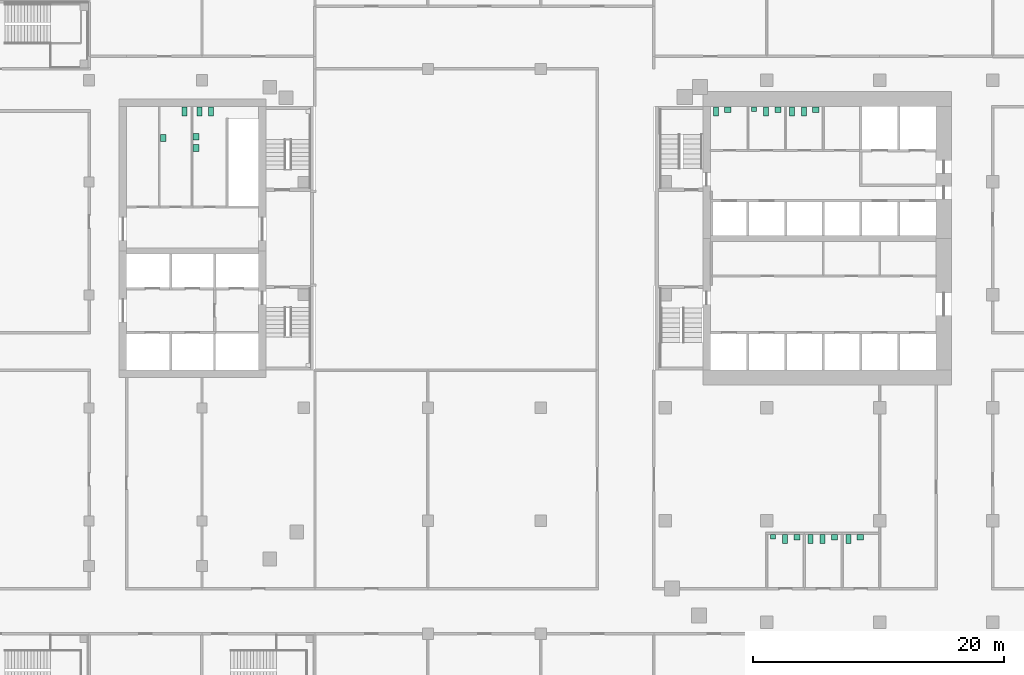
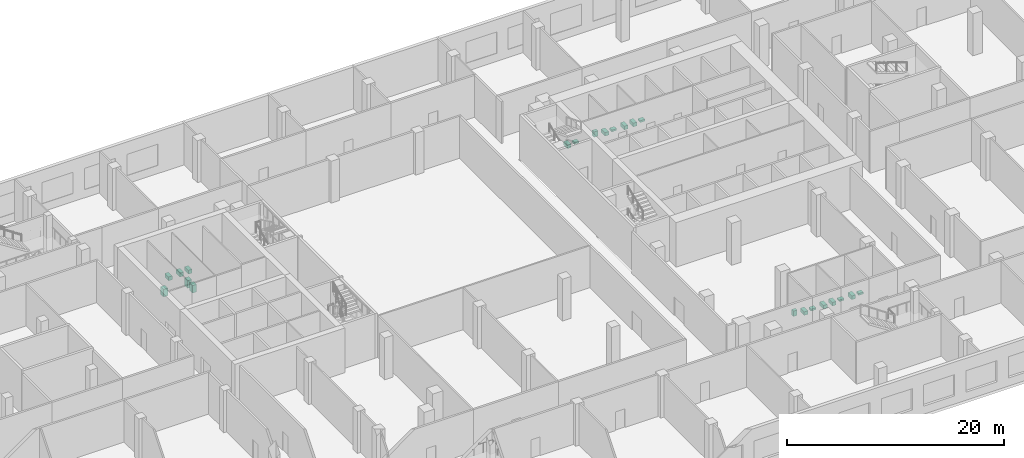
# One storey, part 21 of 21: 22 sanitary terminals.
"""IFC4 building model written with IfcOpenShell, lengths in metres."""

from ifc_helpers import new_model, si_unit, direction, frame, origin, origin_2d, place, context, subcontext, project, spatial, rectangle, extrude, material, type_object, element, save


model = new_model("IFC4")

# Units and contexts
model_context = context("Model", 3, precision=1e-05, world=origin(), true_north=direction((0.0, 1.0)))
body_context = subcontext(model_context, "Body", "Model", "MODEL_VIEW")
ifc_project = project(units=[si_unit("LENGTHUNIT", "METRE"), si_unit("AREAUNIT", "SQUARE_METRE"), si_unit("VOLUMEUNIT", "CUBIC_METRE"), si_unit("PLANEANGLEUNIT", "RADIAN"), si_unit("MASSUNIT", "GRAM", prefix="KILO")], contexts=[model_context])

# Site, building, storey
site_placement = place(None, origin())
site = spatial("IfcSite", under=ifc_project, at=site_placement, CompositionType="ELEMENT")
building_placement = place(site_placement, origin())
building = spatial("IfcBuilding", under=site, at=building_placement, Name="Cinnabar Reach Civic Tower", CompositionType="ELEMENT")
storey_placement = place(building_placement, frame((0.0, 0.0, 11.0)))
storey = spatial("IfcBuildingStorey", under=building, at=storey_placement, Name="L02", CompositionType="ELEMENT", Elevation=11.0)

# Sanitary terminals
ifc_material = material(Name="Vitreous china")
sanitary_terminal_type_1 = type_object("IfcSanitaryTerminalType", Name="T1 WC pan", PredefinedType="TOILETPAN", material=ifc_material)
for number, where, z_axis, x_axis, name in (
    (1, (10.45, 7.55, 0.0), (0.0, 0.0, 1.0), (1.0, 0.0, 0.0), "T1 WC pan 0247-2"),
    (2, (12.5, 7.55, 0.0), (0.0, 0.0, 1.0), (1.0, 0.0, 0.0), "T1 WC pan 0248-1"),
    (3, (13.45, 7.55, 0.0), (0.0, 0.0, 1.0), (1.0, 0.0, 0.0), "T1 WC pan 0248-2"),
    (4, (15.5, 7.55, 0.0), (0.0, 0.0, 1.0), (1.0, 0.0, 0.0), "T1 WC pan 0249-1"),
    (5, (4.95, 41.6, 0.0), (0.0, 0.0, 1.0), (1.0, 0.0, 0.0), "T1 WC pan 0207-1"),
    (6, (8.95, 41.6, 0.0), (0.0, 0.0, 1.0), (1.0, 0.0, 0.0), "T1 WC pan 0208-2"),
    (7, (11.0, 41.6, 0.0), (0.0, 0.0, 1.0), (1.0, 0.0, 0.0), "T1 WC pan 0209-1"),
    (8, (11.95, 41.6, 0.0), (0.0, 0.0, 1.0), (1.0, 0.0, 0.0), "T1 WC pan 0209-2"),
):
    element("IfcSanitaryTerminal", number, at=place(storey_placement, frame(where, z_axis=z_axis, x_axis=x_axis)), inside=storey, type_object=sanitary_terminal_type_1, Name=name, PredefinedType="TOILETPAN", context=body_context, shape_type="SweptSolid", body=[
        extrude(rectangle(XDim=0.4, YDim=0.7, at=origin_2d()), origin(), (0.0, 0.0, 1.0), 0.4),
    ])
sanitary_terminal_type_2 = type_object("IfcSanitaryTerminalType", Name="T1 urinal", PredefinedType="URINAL", material=ifc_material)
for number, where, z_axis, x_axis, name in (
    (9, (9.5, 7.725, 0.0), (0.0, 0.0, 1.0), (1.0, 0.0, 0.0), "T1 urinal 0247-1"),
    (10, (8.0, 41.775, 0.0), (0.0, 0.0, 1.0), (1.0, 0.0, 0.0), "T1 urinal 0208-1"),
):
    element("IfcSanitaryTerminal", number, at=place(storey_placement, frame(where, z_axis=z_axis, x_axis=x_axis)), inside=storey, type_object=sanitary_terminal_type_2, Name=name, PredefinedType="URINAL", context=body_context, shape_type="SweptSolid", body=[
        extrude(rectangle(XDim=0.4, YDim=0.35, at=origin_2d()), origin(), (0.0, 0.0, 1.0), 0.6),
    ])
sanitary_terminal_type_3 = type_object("IfcSanitaryTerminalType", Name="T1 wash basin", PredefinedType="WASHHANDBASIN", material=ifc_material)
for number, where, z_axis, x_axis, name in (
    (11, (11.4, 7.69, 0.0), (0.0, 0.0, 1.0), (1.0, 0.0, 0.0), "T1 wash basin 0247-3"),
    (12, (14.4, 7.69, 0.0), (0.0, 0.0, 1.0), (1.0, 0.0, 0.0), "T1 wash basin 0248-3"),
    (13, (16.45, 7.69, 0.0), (0.0, 0.0, 1.0), (1.0, 0.0, 0.0), "T1 wash basin 0249-2"),
    (14, (5.9, 41.74, 0.0), (0.0, 0.0, 1.0), (1.0, 0.0, 0.0), "T1 wash basin 0207-2"),
    (15, (9.9, 41.74, 0.0), (0.0, 0.0, 1.0), (1.0, 0.0, 0.0), "T1 wash basin 0208-3"),
    (16, (12.9, 41.74, 0.0), (0.0, 0.0, 1.0), (1.0, 0.0, 0.0), "T1 wash basin 0209-3"),
):
    element("IfcSanitaryTerminal", number, at=place(storey_placement, frame(where, z_axis=z_axis, x_axis=x_axis)), inside=storey, type_object=sanitary_terminal_type_3, Name=name, PredefinedType="WASHHANDBASIN", context=body_context, shape_type="SweptSolid", body=[
        extrude(rectangle(XDim=0.5, YDim=0.42, at=origin_2d()), origin(), (0.0, 0.0, 1.0), 0.2),
    ])
sanitary_terminal_type_4 = type_object("IfcSanitaryTerminalType", Name="T2 WC pan", PredefinedType="TOILETPAN", material=ifc_material)
for number, where, z_axis, x_axis, name in (
    (17, (-37.4, 41.6, 0.0), (0.0, 0.0, 1.0), (1.0, 0.0, 0.0), "WC pan"),
    (18, (-36.2, 41.6, 0.0), (0.0, 0.0, 1.0), (1.0, 0.0, 0.0), "WC pan"),
    (19, (-35.3, 41.6, 0.0), (0.0, 0.0, 1.0), (1.0, 0.0, 0.0), "WC pan"),
):
    element("IfcSanitaryTerminal", number, at=place(storey_placement, frame(where, z_axis=z_axis, x_axis=x_axis)), inside=storey, type_object=sanitary_terminal_type_4, Name=name, PredefinedType="TOILETPAN", context=body_context, shape_type="SweptSolid", body=[
        extrude(rectangle(XDim=0.4, YDim=0.7, at=origin_2d()), origin(), (0.0, 0.0, 1.0), 0.42),
    ])
sanitary_terminal_type_5 = type_object("IfcSanitaryTerminalType", Name="T2 Wash basin", PredefinedType="WASHHANDBASIN", material=ifc_material)
for number, where, z_axis, x_axis, name in (
    (20, (-39.075, 39.5, 0.0), (0.0, 0.0, 1.0), (1.0, 0.0, 0.0), "Wash basin"),
    (21, (-36.475, 39.6, 0.0), (0.0, 0.0, 1.0), (1.0, 0.0, 0.0), "Wash basin"),
    (22, (-36.475, 38.7, 0.0), (0.0, 0.0, 1.0), (1.0, 0.0, 0.0), "Wash basin"),
):
    element("IfcSanitaryTerminal", number, at=place(storey_placement, frame(where, z_axis=z_axis, x_axis=x_axis)), inside=storey, type_object=sanitary_terminal_type_5, Name=name, PredefinedType="WASHHANDBASIN", context=body_context, shape_type="SweptSolid", body=[
        extrude(rectangle(XDim=0.45, YDim=0.55, at=origin_2d()), origin(), (0.0, 0.0, 1.0), 0.85),
    ])

save(model, "model.ifc")
